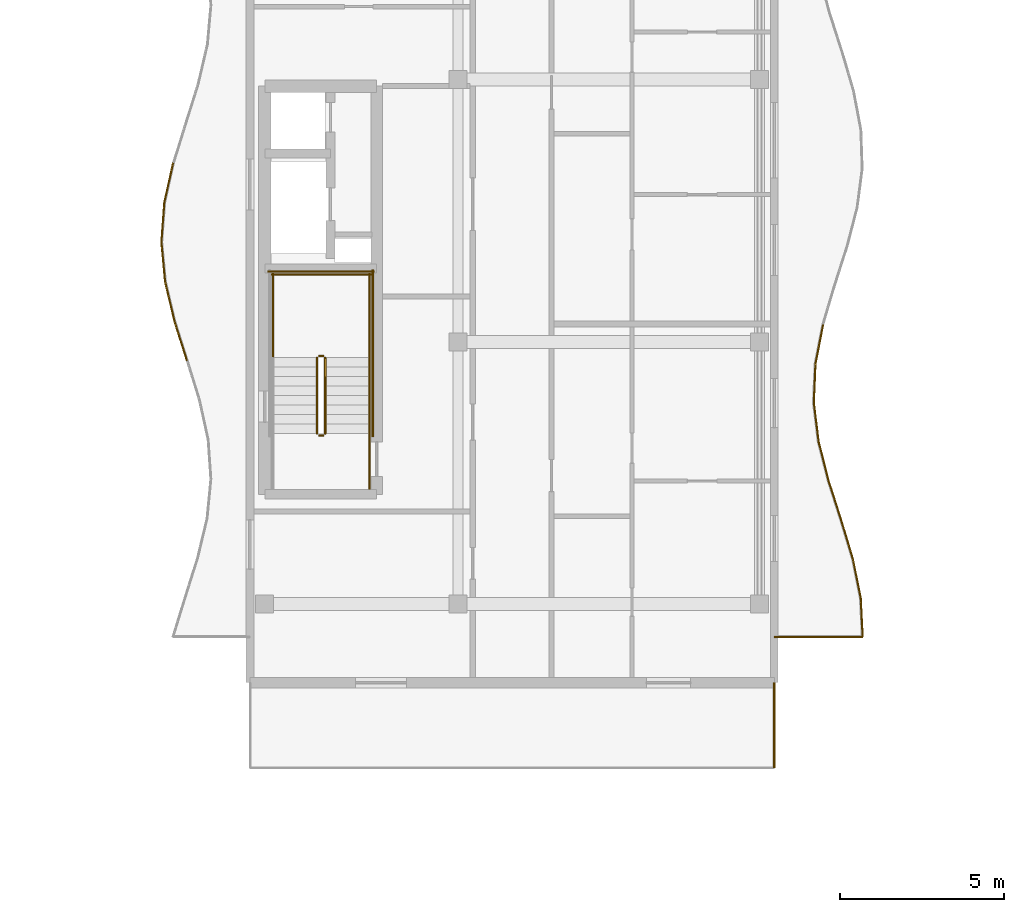
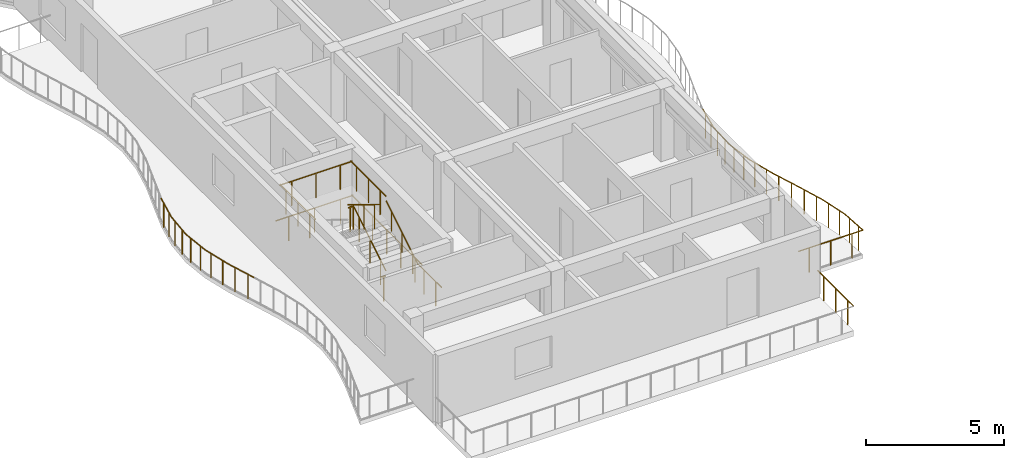
# One storey, part 41 of 49: 26 railings.
"""IFC4 building model written with IfcOpenShell, lengths in metres."""

from ifc_helpers import new_model, si_unit, direction, frame, origin, origin_2d, place, context, subcontext, project, spatial, circle, extrude, material, type_object, element, save


model = new_model("IFC4")

# Units and contexts
model_context = context("Model", 3, precision=1e-05, world=origin(), true_north=direction((0.0, 1.0)))
body_context = subcontext(model_context, "Body", "Model", "MODEL_VIEW")
ifc_project = project(units=[si_unit("LENGTHUNIT", "METRE"), si_unit("AREAUNIT", "SQUARE_METRE"), si_unit("VOLUMEUNIT", "CUBIC_METRE"), si_unit("PLANEANGLEUNIT", "RADIAN"), si_unit("MASSUNIT", "GRAM", prefix="KILO")], contexts=[model_context])

# Site, building, storey
site_placement = place(None, origin())
site = spatial("IfcSite", under=ifc_project, at=site_placement, CompositionType="ELEMENT")
building_placement = place(site_placement, origin())
building = spatial("IfcBuilding", under=site, at=building_placement, Name="Keldmere Railside Commons", CompositionType="ELEMENT")
storey_placement = place(building_placement, frame((0.0, 0.0, 29.760009765625)))
storey = spatial("IfcBuildingStorey", under=building, at=storey_placement, Name="L09", CompositionType="ELEMENT", Elevation=29.760009765625)

# Railings
ifc_material = material(Name="Steel F-24 (S235)", Category="steel")
railing_type_1 = type_object("IfcRailingType", Name="Balcony & Terrace Steel Balustrade 1100", PredefinedType="BALUSTRADE", material=ifc_material)
railing_1_placement = place(storey_placement, frame((120.0, 63.0, 0.0)))
element("IfcRailing", 1, at=railing_1_placement, inside=storey, type_object=railing_type_1, Name="GR-1 GRD-L09-2876", PredefinedType="BALUSTRADE", context=body_context, shape_type="SweptSolid", body=[
    extrude(circle(Radius=0.02392578125, at=origin_2d()), frame((0.0, 0.0, 1.076171875), z_axis=(1.0, 0.0, 0.0), x_axis=(0.0, 1.0, 0.0)), (0.0, 0.0, 1.0), 2.69580078125),
    extrude(circle(Radius=0.02099609375, at=origin_2d()), frame((0.44921875, 0.0, 0.0)), (0.0, 0.0, 1.0), 1.048095703125),
    extrude(circle(Radius=0.02099609375, at=origin_2d()), frame((1.347900390625, 0.0, 0.0)), (0.0, 0.0, 1.0), 1.048095703125),
    extrude(circle(Radius=0.02099609375, at=origin_2d()), frame((2.24658203125, 0.0, 0.0)), (0.0, 0.0, 1.0), 1.048095703125),
])
railing_2_placement = place(storey_placement, frame((122.69580078125, 63.0, 0.0)))
element("IfcRailing", 2, at=railing_2_placement, inside=storey, type_object=railing_type_1, Name="GR-1 GRD-L09-2877", PredefinedType="BALUSTRADE", context=body_context, shape_type="SweptSolid", body=[
    extrude(circle(Radius=0.02392578125, at=origin_2d()), frame((0.0, 0.0, 1.076171875), z_axis=(-0.049998937651, 0.998749270955, 0.0), x_axis=(-0.998749270955, -0.049998937651, 0.0)), (0.0, 0.0, 1.0), 1.19140625),
    extrude(circle(Radius=0.02099609375, at=origin_2d()), frame((-0.014892578125, 0.29736328125, 0.0)), (0.0, 0.0, 1.0), 1.048095703125),
    extrude(circle(Radius=0.02099609375, at=origin_2d()), frame((-0.044677734375, 0.892578125, 0.0)), (0.0, 0.0, 1.0), 1.048095703125),
])
railing_3_placement = place(storey_placement, frame((122.63623046875, 64.18994140625, 0.0)))
element("IfcRailing", 3, at=railing_3_placement, inside=storey, type_object=railing_type_1, Name="GR-1 GRD-L09-2878", PredefinedType="BALUSTRADE", context=body_context, shape_type="SweptSolid", body=[
    extrude(circle(Radius=0.02392578125, at=origin_2d()), frame((0.0, 0.0, 1.076171875), z_axis=(-0.198088111246, 0.980184217473, 0.0), x_axis=(-0.980184217473, -0.198088111246, 0.0)), (0.0, 0.0, 1.0), 1.214111328125),
    extrude(circle(Radius=0.02099609375, at=origin_2d()), frame((-0.06005859375, 0.29736328125, 0.0)), (0.0, 0.0, 1.0), 1.048095703125),
    extrude(circle(Radius=0.02099609375, at=origin_2d()), frame((-0.180419921875, 0.892578125, 0.0)), (0.0, 0.0, 1.0), 1.048095703125),
])
railing_4_placement = place(storey_placement, frame((122.395751953125, 65.3798828125, 0.0)))
element("IfcRailing", 4, at=railing_4_placement, inside=storey, type_object=railing_type_1, Name="GR-1 GRD-L09-2879", PredefinedType="BALUSTRADE", context=body_context, shape_type="SweptSolid", body=[
    extrude(circle(Radius=0.02392578125, at=origin_2d()), frame((0.0, 0.0, 1.076171875), z_axis=(-0.288158720613, 0.957582660523, 0.0), x_axis=(-0.957582660523, -0.288158720613, 0.0)), (0.0, 0.0, 1.0), 1.242919921875),
    extrude(circle(Radius=0.02099609375, at=origin_2d()), frame((-0.089599609375, 0.297607421875, 0.0)), (0.0, 0.0, 1.0), 1.048095703125),
    extrude(circle(Radius=0.02099609375, at=origin_2d()), frame((-0.2685546875, 0.892578125, 0.0)), (0.0, 0.0, 1.0), 1.048095703125),
])
railing_5_placement = place(storey_placement, frame((122.03759765625, 66.570068359375, 0.0)))
element("IfcRailing", 5, at=railing_5_placement, inside=storey, type_object=railing_type_1, Name="GR-1 GRD-L09-2880", PredefinedType="BALUSTRADE", context=body_context, shape_type="SweptSolid", body=[
    extrude(circle(Radius=0.02392578125, at=origin_2d()), frame((0.0, 0.0, 1.076171875), z_axis=(-0.305009679973, 0.952349250602, 0.0), x_axis=(-0.952349250602, -0.305009679973, 0.0)), (0.0, 0.0, 1.0), 1.24951171875),
    extrude(circle(Radius=0.02099609375, at=origin_2d()), frame((-0.09521484375, 0.29736328125, 0.0)), (0.0, 0.0, 1.0), 1.048095703125),
    extrude(circle(Radius=0.02099609375, at=origin_2d()), frame((-0.285888671875, 0.892578125, 0.0)), (0.0, 0.0, 1.0), 1.048095703125),
])
railing_6_placement = place(storey_placement, frame((121.656494140625, 67.760009765625, 0.0)))
element("IfcRailing", 6, at=railing_6_placement, inside=storey, type_object=railing_type_1, Name="GR-1 GRD-L09-2881", PredefinedType="BALUSTRADE", context=body_context, shape_type="SweptSolid", body=[
    extrude(circle(Radius=0.02392578125, at=origin_2d()), frame((0.0, 0.0, 1.076171875), z_axis=(-0.247303826904, 0.968937984186, 0.0), x_axis=(-0.968937984186, -0.247303826904, 0.0)), (0.0, 0.0, 1.0), 1.22802734375),
    extrude(circle(Radius=0.02099609375, at=origin_2d()), frame((-0.075927734375, 0.29736328125, 0.0)), (0.0, 0.0, 1.0), 1.048095703125),
    extrude(circle(Radius=0.02099609375, at=origin_2d()), frame((-0.227783203125, 0.892578125, 0.0)), (0.0, 0.0, 1.0), 1.048095703125),
])
railing_7_placement = place(storey_placement, frame((121.352783203125, 68.949951171875, 0.0)))
element("IfcRailing", 7, at=railing_7_placement, inside=storey, type_object=railing_type_1, Name="GR-1 GRD-L09-2882", PredefinedType="BALUSTRADE", context=body_context, shape_type="SweptSolid", body=[
    extrude(circle(Radius=0.02392578125, at=origin_2d()), frame((0.0, 0.0, 1.076171875), z_axis=(-0.122179889866, 0.992507972014, 0.0), x_axis=(-0.992507972014, -0.122179889866, 0.0)), (0.0, 0.0, 1.0), 1.198974609375),
    extrude(circle(Radius=0.02099609375, at=origin_2d()), frame((-0.03662109375, 0.29736328125, 0.0)), (0.0, 0.0, 1.0), 1.048095703125),
    extrude(circle(Radius=0.02099609375, at=origin_2d()), frame((-0.10986328125, 0.892578125, 0.0)), (0.0, 0.0, 1.0), 1.048095703125),
])
railing_8_placement = place(storey_placement, frame((121.206298828125, 70.139892578125, 0.0)))
element("IfcRailing", 8, at=railing_8_placement, inside=storey, type_object=railing_type_1, Name="GR-1 GRD-L09-2883", PredefinedType="BALUSTRADE", context=body_context, shape_type="SweptSolid", body=[
    extrude(circle(Radius=0.02392578125, at=origin_2d()), frame((0.0, 0.0, 1.076171875), z_axis=(0.041809563482, 0.999125597911, 0.0), x_axis=(-0.999125597911, 0.041809563482, 0.0)), (0.0, 0.0, 1.0), 1.191162109375),
    extrude(circle(Radius=0.02099609375, at=origin_2d()), frame((0.012451171875, 0.297607421875, 0.0)), (0.0, 0.0, 1.0), 1.048095703125),
    extrude(circle(Radius=0.02099609375, at=origin_2d()), frame((0.037353515625, 0.892578125, 0.0)), (0.0, 0.0, 1.0), 1.048095703125),
])
railing_9_placement = place(storey_placement, frame((121.256103515625, 71.330078125, 0.0)))
element("IfcRailing", 9, at=railing_9_placement, inside=storey, type_object=railing_type_1, Name="GR-1 GRD-L09-2884", PredefinedType="BALUSTRADE", context=body_context, shape_type="SweptSolid", body=[
    extrude(circle(Radius=0.02392578125, at=origin_2d()), frame((0.0, 0.0, 1.076171875), z_axis=(0.191893558446, 0.981415743825, 0.0), x_axis=(-0.981415743825, 0.191893558446, 0.0)), (0.0, 0.0, 1.0), 1.21240234375),
    extrude(circle(Radius=0.02099609375, at=origin_2d()), frame((0.05810546875, 0.29736328125, 0.0)), (0.0, 0.0, 1.0), 1.048095703125),
    extrude(circle(Radius=0.02099609375, at=origin_2d()), frame((0.174560546875, 0.892578125, 0.0)), (0.0, 0.0, 1.0), 1.048095703125),
])
railing_10_placement = place(storey_placement, frame((102.077880859375, 71.431884765625, 0.0)))
element("IfcRailing", 10, at=railing_10_placement, inside=storey, type_object=railing_type_1, Name="GR-1 GRD-L09-2906", PredefinedType="BALUSTRADE", context=body_context, shape_type="SweptSolid", body=[
    extrude(circle(Radius=0.02392578125, at=origin_2d()), frame((0.0, 0.0, 1.076171875), z_axis=(-0.300585494477, 0.953754874436, 0.0), x_axis=(-0.953754874436, -0.300585494477, 0.0)), (0.0, 0.0, 1.0), 1.262939453125),
    extrude(circle(Radius=0.02099609375, at=origin_2d()), frame((-0.094970703125, 0.30126953125, 0.0)), (0.0, 0.0, 1.0), 1.048095703125),
    extrude(circle(Radius=0.02099609375, at=origin_2d()), frame((-0.28466796875, 0.9033203125, 0.0)), (0.0, 0.0, 1.0), 1.048095703125),
])
railing_11_placement = place(storey_placement, frame((101.6982421875, 72.636474609375, 0.0)))
element("IfcRailing", 11, at=railing_11_placement, inside=storey, type_object=railing_type_1, Name="GR-1 GRD-L09-2907", PredefinedType="BALUSTRADE", context=body_context, shape_type="SweptSolid", body=[
    extrude(circle(Radius=0.02392578125, at=origin_2d()), frame((0.0, 0.0, 1.076171875), z_axis=(-0.230215679903, 0.973139630642, 0.0), x_axis=(-0.973139630642, -0.230215679903, 0.0)), (0.0, 0.0, 1.0), 1.237548828125),
    extrude(circle(Radius=0.02099609375, at=origin_2d()), frame((-0.0712890625, 0.301025390625, 0.0)), (0.0, 0.0, 1.0), 1.048095703125),
    extrude(circle(Radius=0.02099609375, at=origin_2d()), frame((-0.213623046875, 0.9033203125, 0.0)), (0.0, 0.0, 1.0), 1.048095703125),
])
railing_12_placement = place(storey_placement, frame((101.413330078125, 73.8408203125, 0.0)))
element("IfcRailing", 12, at=railing_12_placement, inside=storey, type_object=railing_type_1, Name="GR-1 GRD-L09-2908", PredefinedType="BALUSTRADE", context=body_context, shape_type="SweptSolid", body=[
    extrude(circle(Radius=0.02392578125, at=origin_2d()), frame((0.0, 0.0, 1.076171875), z_axis=(-0.093428221778, 0.995626017828, 0.0), x_axis=(-0.995626017828, -0.093428221778, 0.0)), (0.0, 0.0, 1.0), 1.2099609375),
    extrude(circle(Radius=0.02099609375, at=origin_2d()), frame((-0.0283203125, 0.30126953125, 0.0)), (0.0, 0.0, 1.0), 1.048095703125),
    extrude(circle(Radius=0.02099609375, at=origin_2d()), frame((-0.084716796875, 0.9033203125, 0.0)), (0.0, 0.0, 1.0), 1.048095703125),
])
railing_13_placement = place(storey_placement, frame((101.30029296875, 75.04541015625, 0.0)))
element("IfcRailing", 13, at=railing_13_placement, inside=storey, type_object=railing_type_1, Name="GR-1 GRD-L09-2909", PredefinedType="BALUSTRADE", context=body_context, shape_type="SweptSolid", body=[
    extrude(circle(Radius=0.02392578125, at=origin_2d()), frame((0.0, 0.0, 1.076171875), z_axis=(0.074176925545, 0.997245097113, 0.0), x_axis=(-0.997245097113, 0.074176925545, 0.0)), (0.0, 0.0, 1.0), 1.2080078125),
    extrude(circle(Radius=0.02099609375, at=origin_2d()), frame((0.0224609375, 0.30126953125, 0.0)), (0.0, 0.0, 1.0), 1.048095703125),
    extrude(circle(Radius=0.02099609375, at=origin_2d()), frame((0.067138671875, 0.9033203125, 0.0)), (0.0, 0.0, 1.0), 1.048095703125),
])
railing_14_placement = place(storey_placement, frame((101.389892578125, 76.25, 0.0)))
element("IfcRailing", 14, at=railing_14_placement, inside=storey, type_object=railing_type_1, Name="GR-1 GRD-L09-2910", PredefinedType="BALUSTRADE", context=body_context, shape_type="SweptSolid", body=[
    extrude(circle(Radius=0.02392578125, at=origin_2d()), frame((0.0, 0.0, 1.076171875), z_axis=(0.216658099147, 0.976247544465, 0.0), x_axis=(-0.976247544465, 0.216658099147, 0.0)), (0.0, 0.0, 1.0), 1.23388671875),
    extrude(circle(Radius=0.02099609375, at=origin_2d()), frame((0.06689453125, 0.30126953125, 0.0)), (0.0, 0.0, 1.0), 1.048095703125),
    extrude(circle(Radius=0.02099609375, at=origin_2d()), frame((0.200439453125, 0.9033203125, 0.0)), (0.0, 0.0, 1.0), 1.048095703125),
])
railing_15_placement = place(storey_placement, frame((120.0, 59.0, 0.0)))
element("IfcRailing", 15, at=railing_15_placement, inside=storey, type_object=railing_type_1, Name="GR-1 GRD-L09-2946", PredefinedType="BALUSTRADE", context=body_context, shape_type="SweptSolid", body=[
    extrude(circle(Radius=0.02392578125, at=origin_2d()), frame((0.0, 0.0, 1.076171875), z_axis=(0.0, 1.0, 0.0), x_axis=(-1.0, 0.0, 0.0)), (0.0, 0.0, 1.0), 2.60009765625),
    extrude(circle(Radius=0.02099609375, at=origin_2d()), frame((0.0, 0.433349609375, 0.0)), (0.0, 0.0, 1.0), 1.048095703125),
    extrude(circle(Radius=0.02099609375, at=origin_2d()), frame((0.0, 1.300048828125, 0.0)), (0.0, 0.0, 1.0), 1.048095703125),
    extrude(circle(Radius=0.02099609375, at=origin_2d()), frame((0.0, 2.166748046875, 0.0)), (0.0, 0.0, 1.0), 1.048095703125),
])
railing_type_2 = type_object("IfcRailingType", Name="Stair Well Steel Guardrail 1100", PredefinedType="BALUSTRADE", material=ifc_material)
railing_16_placement = place(storey_placement, frame((106.300048828125, 69.199951171875, 0.177734375)))
element("IfcRailing", 16, at=railing_16_placement, inside=storey, type_object=railing_type_2, Name="L09 ST-B1 stair guard 1", PredefinedType="BALUSTRADE", context=body_context, shape_type="SweptSolid", body=[
    extrude(circle(Radius=0.02392578125, at=origin_2d()), frame((0.0, 0.0, 1.076171875), z_axis=(0.0, 0.852538067394, 0.522665135287), x_axis=(-1.0, 0.0, 0.0)), (0.0, 0.0, 1.0), 2.721435546875),
    extrude(circle(Radius=0.02099609375, at=origin_2d()), frame((0.0, 0.38671875, 0.237060546875)), (0.0, 0.0, 1.0), 1.048095703125),
    extrude(circle(Radius=0.02099609375, at=origin_2d()), frame((0.0, 1.16015625, 0.711181640625)), (0.0, 0.0, 1.0), 1.048095703125),
    extrude(circle(Radius=0.02099609375, at=origin_2d()), frame((0.0, 1.933349609375, 1.185302734375)), (0.0, 0.0, 1.0), 1.048095703125),
])
railing_17_placement = place(storey_placement, frame((106.25, 71.570068359375, 1.60009765625)))
element("IfcRailing", 17, at=railing_17_placement, inside=storey, type_object=railing_type_2, Name="L09 ST-B1 stair guard 2", PredefinedType="BALUSTRADE", context=body_context, shape_type="SweptSolid", body=[
    extrude(circle(Radius=0.02392578125, at=origin_2d()), frame((0.0, 0.0, 1.076171875), z_axis=(-1.0, 0.0, 0.0), x_axis=(0.0, -1.0, 0.0)), (0.0, 0.0, 1.0), 0.14990234375),
    extrude(circle(Radius=0.02099609375, at=origin_2d()), frame((-0.074951171875, 0.0, 0.0)), (0.0, 0.0, 1.0), 1.048095703125),
])
for number, where, name in (
    (18, (107.64990234375, 71.52001953125, 1.60009765625), "L09 ST-B1 stair guard 3"),
    (19, (104.699951171875, 71.52001953125, 1.60009765625), "L09 ST-B1 stair guard 4"),
):
    element("IfcRailing", number, at=place(storey_placement, frame(where)), inside=storey, type_object=railing_type_2, Name=name, PredefinedType="BALUSTRADE", context=body_context, shape_type="SweptSolid", body=[
        extrude(circle(Radius=0.02392578125, at=origin_2d()), frame((0.0, 0.0, 1.076171875), z_axis=(0.0, 1.0, 0.0), x_axis=(-1.0, 0.0, 0.0)), (0.0, 0.0, 1.0), 2.580078125),
        extrude(circle(Radius=0.02099609375, at=origin_2d()), frame((0.0, 0.429931640625, 0.0)), (0.0, 0.0, 1.0), 1.048095703125),
        extrude(circle(Radius=0.02099609375, at=origin_2d()), frame((0.0, 1.2900390625, 0.0)), (0.0, 0.0, 1.0), 1.048095703125),
        extrude(circle(Radius=0.02099609375, at=origin_2d()), frame((0.0, 2.150146484375, 0.0)), (0.0, 0.0, 1.0), 1.048095703125),
    ])
railing_18_placement = place(storey_placement, frame((107.699951171875, 74.050048828125, 1.60009765625)))
element("IfcRailing", 20, at=railing_18_placement, inside=storey, type_object=railing_type_2, Name="L09 ST-B1 stair guard 5", PredefinedType="BALUSTRADE", context=body_context, shape_type="SweptSolid", body=[
    extrude(circle(Radius=0.02392578125, at=origin_2d()), frame((0.0, 0.0, 1.076171875), z_axis=(-1.0, 0.0, 0.0), x_axis=(0.0, -1.0, 0.0)), (0.0, 0.0, 1.0), 3.050048828125),
    extrude(circle(Radius=0.02099609375, at=origin_2d()), frame((-0.50830078125, 0.0, 0.0)), (0.0, 0.0, 1.0), 1.048095703125),
    extrude(circle(Radius=0.02099609375, at=origin_2d()), frame((-1.52490234375, 0.0, 0.0)), (0.0, 0.0, 1.0), 1.048095703125),
    extrude(circle(Radius=0.02099609375, at=origin_2d()), frame((-2.541748046875, 0.0, 0.0)), (0.0, 0.0, 1.0), 1.048095703125),
])
railing_19_placement = place(storey_placement, frame((106.050048828125, 71.52001953125, 1.77783203125)))
element("IfcRailing", 21, at=railing_19_placement, inside=storey, type_object=railing_type_2, Name="L09 ST-B1 stair guard 6", PredefinedType="BALUSTRADE", context=body_context, shape_type="SweptSolid", body=[
    extrude(circle(Radius=0.02392578125, at=origin_2d()), frame((0.0, 0.0, 1.076171875), z_axis=(0.0, -0.852578041948, 0.522599925744), x_axis=(1.0, 0.0, 0.0)), (0.0, 0.0, 1.0), 2.72119140625),
    extrude(circle(Radius=0.02099609375, at=origin_2d()), frame((0.0, -0.38671875, 0.237060546875)), (0.0, 0.0, 1.0), 1.048095703125),
    extrude(circle(Radius=0.02099609375, at=origin_2d()), frame((0.0, -1.16015625, 0.7109375)), (0.0, 0.0, 1.0), 1.048095703125),
    extrude(circle(Radius=0.02099609375, at=origin_2d()), frame((0.0, -1.933349609375, 1.18505859375)), (0.0, 0.0, 1.0), 1.048095703125),
])
railing_20_placement = place(storey_placement, frame((106.25, 69.14990234375, 0.0)))
element("IfcRailing", 22, at=railing_20_placement, inside=storey, type_object=railing_type_2, Name="L09 ST-B1 stair guard 7", PredefinedType="BALUSTRADE", context=body_context, shape_type="SweptSolid", body=[
    extrude(circle(Radius=0.02392578125, at=origin_2d()), frame((0.0, 0.0, 1.076171875), z_axis=(-1.0, 0.0, 0.0), x_axis=(0.0, -1.0, 0.0)), (0.0, 0.0, 1.0), 0.14990234375),
    extrude(circle(Radius=0.02099609375, at=origin_2d()), frame((-0.074951171875, 0.0, 0.0)), (0.0, 0.0, 1.0), 1.048095703125),
])
railing_21_placement = place(storey_placement, frame((107.64990234375, 67.5, 0.0)))
element("IfcRailing", 23, at=railing_21_placement, inside=storey, type_object=railing_type_2, Name="L09 ST-B1 stair guard 8", PredefinedType="BALUSTRADE", context=body_context, shape_type="SweptSolid", body=[
    extrude(circle(Radius=0.02392578125, at=origin_2d()), frame((0.0, 0.0, 1.076171875), z_axis=(0.0, 1.0, 0.0), x_axis=(-1.0, 0.0, 0.0)), (0.0, 0.0, 1.0), 1.699951171875),
    extrude(circle(Radius=0.02099609375, at=origin_2d()), frame((0.0, 0.425048828125, 0.0)), (0.0, 0.0, 1.0), 1.048095703125),
    extrude(circle(Radius=0.02099609375, at=origin_2d()), frame((0.0, 1.27490234375, 0.0)), (0.0, 0.0, 1.0), 1.048095703125),
])
railing_22_placement = place(storey_placement, frame((107.75, 69.10009765625, 0.0)))
element("IfcRailing", 24, at=railing_22_placement, inside=storey, type_object=railing_type_2, Name="L09 ST-B1 stair guard 10", PredefinedType="BALUSTRADE", context=body_context, shape_type="SweptSolid", body=[
    extrude(circle(Radius=0.02392578125, at=origin_2d()), frame((0.0, 0.0, 1.076171875), z_axis=(0.0, 1.0, 0.0), x_axis=(-1.0, 0.0, 0.0)), (0.0, 0.0, 1.0), 5.099853515625),
    extrude(circle(Radius=0.02099609375, at=origin_2d()), frame((0.0, 0.510009765625, 0.0)), (0.0, 0.0, 1.0), 1.048095703125),
    extrude(circle(Radius=0.02099609375, at=origin_2d()), frame((0.0, 1.530029296875, 0.0)), (0.0, 0.0, 1.0), 1.048095703125),
    extrude(circle(Radius=0.02099609375, at=origin_2d()), frame((0.0, 2.5498046875, 0.0)), (0.0, 0.0, 1.0), 1.048095703125),
    extrude(circle(Radius=0.02099609375, at=origin_2d()), frame((0.0, 3.56982421875, 0.0)), (0.0, 0.0, 1.0), 1.048095703125),
    extrude(circle(Radius=0.02099609375, at=origin_2d()), frame((0.0, 4.58984375, 0.0)), (0.0, 0.0, 1.0), 1.048095703125),
])
railing_23_placement = place(storey_placement, frame((107.800048828125, 74.14990234375, 0.0)))
element("IfcRailing", 25, at=railing_23_placement, inside=storey, type_object=railing_type_2, Name="L09 ST-B1 stair guard 12", PredefinedType="BALUSTRADE", context=body_context, shape_type="SweptSolid", body=[
    extrude(circle(Radius=0.02392578125, at=origin_2d()), frame((0.0, 0.0, 1.076171875), z_axis=(-1.0, 0.0, 0.0), x_axis=(0.0, -1.0, 0.0)), (0.0, 0.0, 1.0), 3.25),
    extrude(circle(Radius=0.02099609375, at=origin_2d()), frame((-0.541748046875, 0.0, 0.0)), (0.0, 0.0, 1.0), 1.048095703125),
    extrude(circle(Radius=0.02099609375, at=origin_2d()), frame((-1.625, 0.0, 0.0)), (0.0, 0.0, 1.0), 1.048095703125),
    extrude(circle(Radius=0.02099609375, at=origin_2d()), frame((-2.708251953125, 0.0, 0.0)), (0.0, 0.0, 1.0), 1.048095703125),
])
railing_type_3 = type_object("IfcRailingType", Name="Wall-Mounted Tubular Steel Handrail 900", PredefinedType="HANDRAIL", material=ifc_material)
railing_24_placement = place(storey_placement, frame((107.64990234375, 69.199951171875, 0.177734375)))
element("IfcRailing", 26, at=railing_24_placement, inside=storey, type_object=railing_type_3, Name="L09 ST-B1 stair handrail 1", PredefinedType="HANDRAIL", context=body_context, shape_type="SweptSolid", body=[
    extrude(circle(Radius=0.02392578125, at=origin_2d()), frame((0.0, 0.0, 0.8759765625), z_axis=(0.0, 0.852538067394, 0.522665135287), x_axis=(-1.0, 0.0, 0.0)), (0.0, 0.0, 1.0), 2.721435546875),
    extrude(circle(Radius=0.02099609375, at=origin_2d()), frame((0.0, 0.38671875, 0.237060546875)), (0.0, 0.0, 1.0), 0.847900390625),
    extrude(circle(Radius=0.02099609375, at=origin_2d()), frame((0.0, 1.16015625, 0.711181640625)), (0.0, 0.0, 1.0), 0.847900390625),
    extrude(circle(Radius=0.02099609375, at=origin_2d()), frame((0.0, 1.933349609375, 1.185302734375)), (0.0, 0.0, 1.0), 0.847900390625),
])

save(model, "model.ifc")
